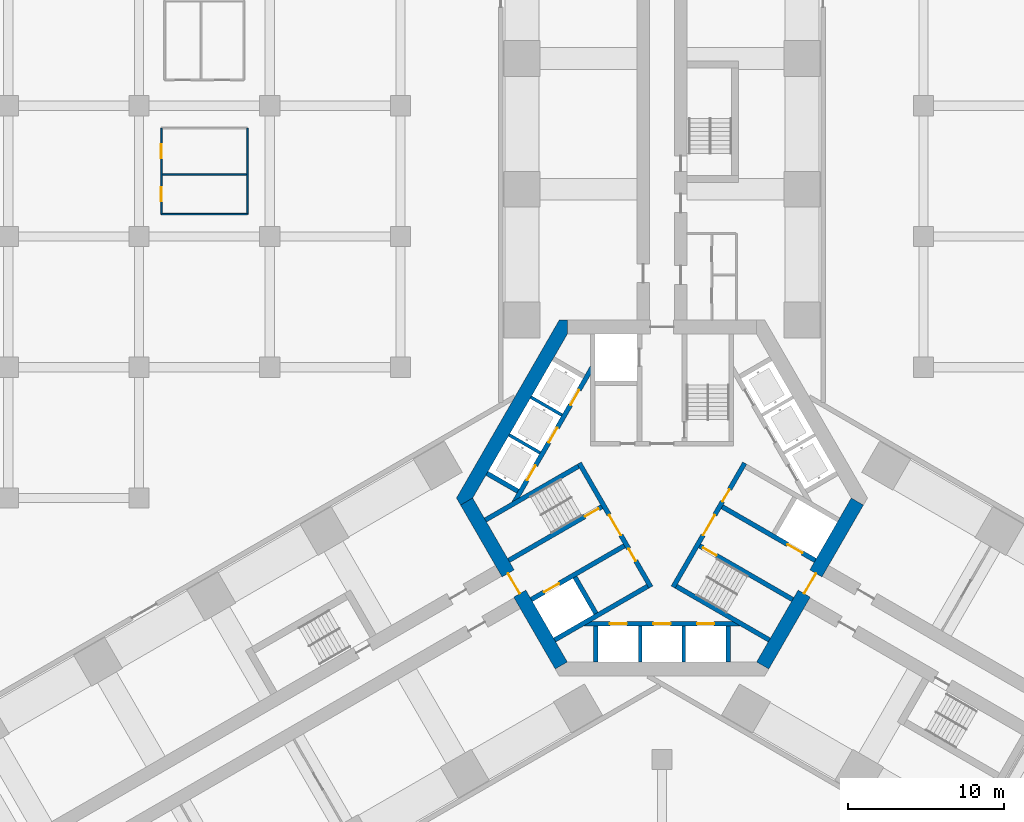
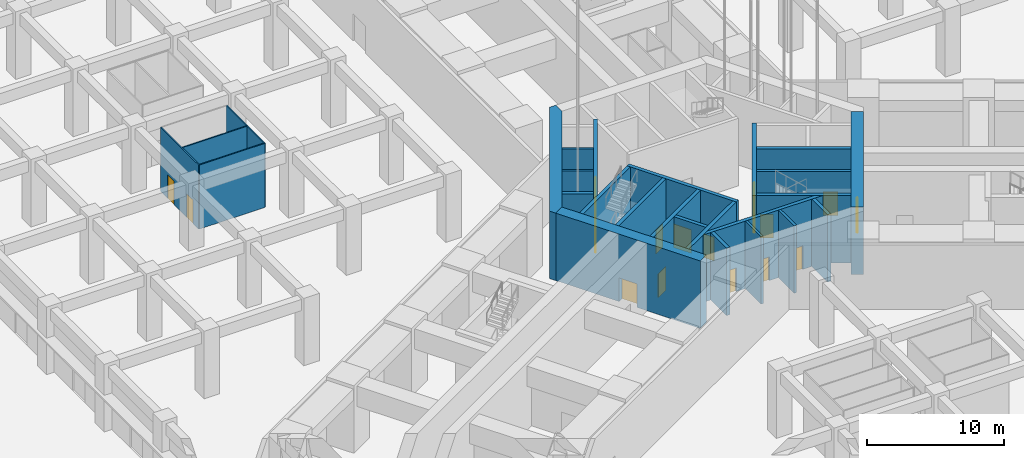
# One storey, part 9 of 33: 26 walls, 18 doors, 18 openings.
"""IFC4 building model written with IfcOpenShell, lengths in metres."""

from ifc_helpers import new_model, si_unit, direction, frame, frame_2d, origin, place, context, subcontext, project, spatial, polyline, rectangle, outline, extrude, material, layer, layer_set, type_object, element, fill, save


model = new_model("IFC4")

# Units and contexts
model_context = context("Model", 3, precision=1e-05, world=origin(), true_north=direction((0.0, 1.0)))
body_context = subcontext(model_context, "Body", "Model", "MODEL_VIEW")
ifc_project = project(units=[si_unit("LENGTHUNIT", "METRE"), si_unit("AREAUNIT", "SQUARE_METRE"), si_unit("VOLUMEUNIT", "CUBIC_METRE"), si_unit("PLANEANGLEUNIT", "RADIAN"), si_unit("MASSUNIT", "GRAM", prefix="KILO")], contexts=[model_context])

# Site, building, storey
site_placement = place(None, origin())
site = spatial("IfcSite", under=ifc_project, at=site_placement, CompositionType="ELEMENT")
building_placement = place(site_placement, origin())
building = spatial("IfcBuilding", under=site, at=building_placement, Name="Impinga Residences", CompositionType="ELEMENT")
storey_placement = place(building_placement, origin())
storey = spatial("IfcBuildingStorey", under=building, at=storey_placement, Name="L00", CompositionType="ELEMENT", Elevation=0.0)

# Walls
ifc_material_1 = material(Name="Gypsum board on steel studs", Category="steel")
ifc_layer_1 = layer(ifc_material_1, 0.10009765625)
ifc_layer_set_1 = layer_set([ifc_layer_1], Name="Gypsum board on steel studs")
wall_type_1 = type_object("IfcWallType", Name="IP1 partition 100", PredefinedType="PARTITIONING", material=ifc_layer_set_1)
for number, where, z_axis, x_axis, name in (
    (1, (-32.159912109375, 18.239990234375, 0.0), (0.0, 0.0, 1.0), (1.0, 0.0, 0.0), "Partition L00:REG:NW:BLKS"),
    (2, (-26.639892578125, 18.239990234375, 0.0), (0.0, 0.0, 1.0), (0.0, 1.0, 0.0), "Partition L00:REG:NW:BLKE"),
):
    element("IfcWall", number, at=place(storey_placement, frame(where, z_axis=z_axis, x_axis=x_axis)), inside=storey, type_object=wall_type_1, Name=name, PredefinedType="PARTITIONING", context=body_context, shape_type="SweptSolid", body=[
        extrude(rectangle(XDim=5.52001953125, YDim=0.10009765625, at=frame_2d((2.760009765625, 0.0))), origin(), (0.0, 0.0, 1.0), 5.699951171875),
    ])

# Wall, openings, doors
wall_1_placement = place(storey_placement, frame((-32.159912109375, 23.760009765625, 0.0), z_axis=(0.0, 0.0, 1.0), x_axis=(0.0, -1.0, 0.0)))
wall_1 = element("IfcWall", 3, at=wall_1_placement, inside=storey, type_object=wall_type_1, Name="Partition L00:REG:NW:BLKW", PredefinedType="PARTITIONING", context=body_context, shape_type="SweptSolid", body=[
    extrude(rectangle(XDim=5.52001953125, YDim=0.10009765625, at=frame_2d((2.760009765625, 0.0))), origin(), (0.0, 0.0, 1.0), 5.699951171875),
])
opening_1_placement = place(wall_1_placement, frame((3.803955078125, 0.0, 0.0)))
opening_1 = element("IfcOpeningElement", 4, at=opening_1_placement, cuts=wall_1, Name="Opening D2", PredefinedType="OPENING", context=body_context, shape_type="SweptSolid", body=[
    extrude(rectangle(XDim=0.89990234375, YDim=2.10009765625, at=frame_2d((0.449951171875, 1.050048828125))), frame((0.0, 0.06005859375, 0.0), z_axis=(0.0, -1.0, 0.0), x_axis=(1.0, 0.0, 0.0)), (0.0, 0.0, 1.0), 0.1201171875),
])
opening_2_placement = place(wall_1_placement, frame((1.0439453125, 0.0, 0.0)))
opening_2 = element("IfcOpeningElement", 5, at=opening_2_placement, cuts=wall_1, Name="Opening D2", PredefinedType="OPENING", context=body_context, shape_type="SweptSolid", body=[
    extrude(rectangle(XDim=0.89990234375, YDim=2.10009765625, at=frame_2d((0.449951171875, 1.050048828125))), frame((0.0, 0.06005859375, 0.0), z_axis=(0.0, -1.0, 0.0), x_axis=(1.0, 0.0, 0.0)), (0.0, 0.0, 1.0), 0.1201171875),
])
ifc_material_2 = material(Name="Timber door set", Category="wood")
door_type_1 = type_object("IfcDoorType", Name="D2 internal door 900x2100", OperationType="SINGLE_SWING_LEFT", PredefinedType="DOOR", material=ifc_material_2)
door_1_placement = place(opening_1_placement, origin())
door_1 = element("IfcDoor", 6, at=door_1_placement, inside=storey, type_object=door_type_1, Name="Retail store room door", OperationType="SINGLE_SWING_RIGHT", OverallHeight=2.10009765625, OverallWidth=0.89990234375, PredefinedType="DOOR", context=body_context, shape_type="SweptSolid", body=[
    extrude(rectangle(XDim=0.89990234375, YDim=2.10009765625, at=frame_2d((0.449951171875, 1.050048828125))), frame((0.0, 0.02490234375, 0.0), z_axis=(0.0, -1.0, 0.0), x_axis=(1.0, 0.0, 0.0)), (0.0, 0.0, 1.0), 0.050048828125),
])
fill(opening_1, door_1)
door_2_placement = place(opening_2_placement, origin())
door_2 = element("IfcDoor", 7, at=door_2_placement, inside=storey, type_object=door_type_1, Name="Retail staff room door", OperationType="SINGLE_SWING_LEFT", OverallHeight=2.10009765625, OverallWidth=0.89990234375, PredefinedType="DOOR", context=body_context, shape_type="SweptSolid", body=[
    extrude(rectangle(XDim=0.89990234375, YDim=2.10009765625, at=frame_2d((0.449951171875, 1.050048828125))), frame((0.0, 0.02490234375, 0.0), z_axis=(0.0, -1.0, 0.0), x_axis=(1.0, 0.0, 0.0)), (0.0, 0.0, 1.0), 0.050048828125),
])
fill(opening_2, door_2)

# Wall
wall_2_placement = place(storey_placement, frame((-32.159912109375, 20.772216796875, 0.0), z_axis=(0.0, 0.0, 1.0), x_axis=(1.0, 0.0, 0.0)))
element("IfcWall", 8, at=wall_2_placement, inside=storey, type_object=wall_type_1, Name="Partition L00:REG:NW:BLKP1", PredefinedType="PARTITIONING", context=body_context, shape_type="SweptSolid", body=[
    extrude(rectangle(XDim=5.52001953125, YDim=0.10009765625, at=frame_2d((2.760009765625, 0.0))), origin(), (0.0, 0.0, 1.0), 5.699951171875),
])

# Wall, opening, door
ifc_material_3 = material(Name="Concrete C70/85", Category="concrete")
ifc_layer_2 = layer(ifc_material_3, 0.89990234375)
ifc_layer_set_2 = layer_set([ifc_layer_2], Name="Concrete C70/85")
wall_type_2 = type_object("IfcWallType", Name="SW1 core wall 900", PredefinedType="SHEAR", material=ifc_layer_set_2)
wall_3_placement = place(storey_placement, frame((-6.47021484375, -10.756591796875, 0.0), z_axis=(0.0, 0.0, 1.0), x_axis=(-0.499997612506, 0.8660267822, 0.0)))
wall_3 = element("IfcWall", 9, at=wall_3_placement, inside=storey, type_object=wall_type_2, Name="Core wall SW1 W:FACE L00", PredefinedType="SHEAR", context=body_context, shape_type="SweptSolid", body=[
    extrude(rectangle(XDim=12.16064453125, YDim=0.89990234375, at=frame_2d((6.080322265625, 0.0))), origin(), (0.0, 0.0, 1.0), 6.0),
])
opening_3_placement = place(wall_3_placement, frame((5.330322265625, 0.0, 0.0)))
opening_3 = element("IfcOpeningElement", 10, at=opening_3_placement, cuts=wall_3, Name="Opening D4", PredefinedType="OPENING", context=body_context, shape_type="SweptSolid", body=[
    extrude(rectangle(XDim=1.5, YDim=2.10009765625, at=frame_2d((0.75, 1.050048828125))), frame((0.0, 0.4599609375, 0.0), z_axis=(0.0, -1.0, 0.0), x_axis=(1.0, 0.0, 0.0)), (0.0, 0.0, 1.0), 0.919921875),
])
door_type_2 = type_object("IfcDoorType", Name="D4 lobby door pair 1500x2100", OperationType="DOUBLE_DOOR_DOUBLE_SWING", PredefinedType="DOOR", material=ifc_material_2)
door_3_placement = place(opening_3_placement, origin())
door_3 = element("IfcDoor", 11, at=door_3_placement, inside=storey, type_object=door_type_2, Name="Lobby door W", OperationType="DOUBLE_DOOR_DOUBLE_SWING", OverallHeight=2.10009765625, OverallWidth=1.5, PredefinedType="DOOR", context=body_context, shape_type="SweptSolid", body=[
    extrude(rectangle(XDim=1.5, YDim=2.10009765625, at=frame_2d((0.75, 1.050048828125))), frame((0.0, 0.02490234375, 0.0), z_axis=(0.0, -1.0, 0.0), x_axis=(1.0, 0.0, 0.0)), (0.0, 0.0, 1.0), 0.050048828125),
])
fill(opening_3, door_3)

wall_4_placement = place(storey_placement, frame((12.550537109375, -0.22509765625, 0.0), z_axis=(0.0, 0.0, 1.0), x_axis=(-0.499997612506, -0.8660267822, 0.0)))
wall_4 = element("IfcWall", 12, at=wall_4_placement, inside=storey, type_object=wall_type_2, Name="Core wall SW1 E:FACE L00", PredefinedType="SHEAR", context=body_context, shape_type="SweptSolid", body=[
    extrude(rectangle(XDim=12.16064453125, YDim=0.89990234375, at=frame_2d((6.080322265625, 0.0))), origin(), (0.0, 0.0, 1.0), 6.0),
])
opening_4_placement = place(wall_4_placement, frame((5.330322265625, 0.0, 0.0)))
opening_4 = element("IfcOpeningElement", 13, at=opening_4_placement, cuts=wall_4, Name="Opening D4", PredefinedType="OPENING", context=body_context, shape_type="SweptSolid", body=[
    extrude(rectangle(XDim=1.5, YDim=2.10009765625, at=frame_2d((0.75, 1.050048828125))), frame((0.0, 0.4599609375, 0.0), z_axis=(0.0, -1.0, 0.0), x_axis=(1.0, 0.0, 0.0)), (0.0, 0.0, 1.0), 0.919921875),
])
door_4_placement = place(opening_4_placement, origin())
door_4 = element("IfcDoor", 14, at=door_4_placement, inside=storey, type_object=door_type_2, Name="Lobby door E", OperationType="DOUBLE_DOOR_DOUBLE_SWING", OverallHeight=2.10009765625, OverallWidth=1.5, PredefinedType="DOOR", context=body_context, shape_type="SweptSolid", body=[
    extrude(rectangle(XDim=1.5, YDim=2.10009765625, at=frame_2d((0.75, 1.050048828125))), frame((0.0, 0.02490234375, 0.0), z_axis=(0.0, -1.0, 0.0), x_axis=(1.0, 0.0, 0.0)), (0.0, 0.0, 1.0), 0.050048828125),
])
fill(opening_4, door_4)

# Wall
wall_5_placement = place(storey_placement, origin())
element("IfcWall", 15, at=wall_5_placement, inside=storey, type_object=wall_type_2, Name="Core wall SW1 E:EXPOSED L00", PredefinedType="SHEAR", context=body_context, shape_type="SweptSolid", body=[
    extrude(outline(polyline([(-6.60009765625, 11.431640625), (-13.199951171875, 0.0), (-12.940185546875, -0.449951171875), (-12.160888671875, 0.0), (-6.080322265625, 10.531494140625), (-6.080322265625, 11.431640625), (-6.60009765625, 11.431640625)])), origin(), (0.0, 0.0, 1.0), 6.0),
])

# Wall, openings, doors
ifc_layer_3 = layer(ifc_material_3, 0.300048828125)
ifc_layer_set_3 = layer_set([ifc_layer_3], Name="Concrete C70/85")
wall_type_3 = type_object("IfcWallType", Name="SW5 core inner wall, stairs, shafts and lobbies 300", PredefinedType="SHEAR", material=ifc_layer_set_3)
wall_6_placement = place(storey_placement, frame((-0.7138671875, -5.7236328125, 0.0), z_axis=(0.0, 0.0, 1.0), x_axis=(-0.499995050369, 0.866028261437, 0.0)))
wall_6 = element("IfcWall", 16, at=wall_6_placement, inside=storey, type_object=wall_type_3, Name="Core wall SW5 W:ZONE L00", PredefinedType="SHEAR", context=body_context, shape_type="SweptSolid", body=[
    extrude(rectangle(XDim=9.19970703125, YDim=0.300048828125, at=frame_2d((4.599853515625, 0.0))), origin(), (0.0, 0.0, 1.0), 6.0),
])
opening_5_placement = place(wall_6_placement, frame((3.85009765625, 0.0, 0.0)))
opening_5 = element("IfcOpeningElement", 17, at=opening_5_placement, cuts=wall_6, Name="Opening D4", PredefinedType="OPENING", context=body_context, shape_type="SweptSolid", body=[
    extrude(rectangle(XDim=1.5, YDim=2.10009765625, at=frame_2d((0.75, 1.050048828125))), frame((0.0, 0.159912109375, 0.0), z_axis=(0.0, -1.0, 0.0), x_axis=(1.0, 0.0, 0.0)), (0.0, 0.0, 1.0), 0.320068359375),
])
opening_6_placement = place(wall_6_placement, frame((1.949951171875, 0.0, 0.0)))
opening_6 = element("IfcOpeningElement", 18, at=opening_6_placement, cuts=wall_6, Name="Opening D6", PredefinedType="OPENING", context=body_context, shape_type="SweptSolid", body=[
    extrude(rectangle(XDim=0.89990234375, YDim=2.10009765625, at=frame_2d((0.449951171875, 1.050048828125))), frame((0.0, 0.159912109375, 0.0), z_axis=(0.0, -1.0, 0.0), x_axis=(1.0, 0.0, 0.0)), (0.0, 0.0, 1.0), 0.320068359375),
])
door_5_placement = place(opening_5_placement, origin())
door_5 = element("IfcDoor", 19, at=door_5_placement, inside=storey, type_object=door_type_2, Name="Firefighting lobby door W", OperationType="DOUBLE_DOOR_DOUBLE_SWING", OverallHeight=2.10009765625, OverallWidth=1.5, PredefinedType="DOOR", context=body_context, shape_type="SweptSolid", body=[
    extrude(rectangle(XDim=1.5, YDim=2.10009765625, at=frame_2d((0.75, 1.050048828125))), frame((0.0, 0.02490234375, 0.0), z_axis=(0.0, -1.0, 0.0), x_axis=(1.0, 0.0, 0.0)), (0.0, 0.0, 1.0), 0.050048828125),
])
fill(opening_5, door_5)
door_type_3 = type_object("IfcDoorType", Name="D6 riser and store door 900x2100", OperationType="SINGLE_SWING_LEFT", PredefinedType="DOOR", material=ifc_material_2)
door_6_placement = place(opening_6_placement, origin())
door_6 = element("IfcDoor", 20, at=door_6_placement, inside=storey, type_object=door_type_3, Name="Riser door W", OperationType="SINGLE_SWING_LEFT", OverallHeight=2.10009765625, OverallWidth=0.89990234375, PredefinedType="DOOR", context=body_context, shape_type="SweptSolid", body=[
    extrude(rectangle(XDim=0.89990234375, YDim=2.10009765625, at=frame_2d((0.449951171875, 1.050048828125))), frame((0.0, 0.02490234375, 0.0), z_axis=(0.0, -1.0, 0.0), x_axis=(1.0, 0.0, 0.0)), (0.0, 0.0, 1.0), 0.050048828125),
])
fill(opening_6, door_6)

# Wall, opening, door
wall_7_placement = place(storey_placement, frame((-3.86865234375, -0.559326171875, 0.0), z_axis=(0.0, 0.0, 1.0), x_axis=(-0.86602711848, -0.499997030048, 0.0)))
wall_7 = element("IfcWall", 21, at=wall_7_placement, inside=storey, type_object=wall_type_3, Name="Core wall SW5 W:ST-IN L00", PredefinedType="SHEAR", context=body_context, shape_type="SweptSolid", body=[
    extrude(rectangle(XDim=6.9013671875, YDim=0.300048828125, at=frame_2d((3.45068359375, 0.0))), origin(), (0.0, 0.0, 1.0), 6.0),
])
opening_7_placement = place(wall_7_placement, frame((0.25, 0.0, 0.0)))
opening_7 = element("IfcOpeningElement", 22, at=opening_7_placement, cuts=wall_7, Name="Opening D5", PredefinedType="OPENING", context=body_context, shape_type="SweptSolid", body=[
    extrude(rectangle(XDim=1.0, YDim=2.10009765625, at=frame_2d((0.5, 1.050048828125))), frame((0.0, 0.159912109375, 0.0), z_axis=(0.0, -1.0, 0.0), x_axis=(1.0, 0.0, 0.0)), (0.0, 0.0, 1.0), 0.320068359375),
])
door_type_4 = type_object("IfcDoorType", Name="D5 stair door 1000x2100", OperationType="SINGLE_SWING_LEFT", PredefinedType="DOOR", material=ifc_material_2)
door_7_placement = place(opening_7_placement, origin())
door_7 = element("IfcDoor", 23, at=door_7_placement, inside=storey, type_object=door_type_4, Name="Stair door W", OperationType="SINGLE_SWING_LEFT", OverallHeight=2.10009765625, OverallWidth=1.0, PredefinedType="DOOR", context=body_context, shape_type="SweptSolid", body=[
    extrude(rectangle(XDim=1.0, YDim=2.10009765625, at=frame_2d((0.5, 1.050048828125))), frame((0.0, 0.02490234375, 0.0), z_axis=(0.0, -1.0, 0.0), x_axis=(1.0, 0.0, 0.0)), (0.0, 0.0, 1.0), 0.050048828125),
])
fill(opening_7, door_7)

# Wall
wall_8_placement = place(storey_placement, frame((-5.36865234375, 2.038818359375, 0.0), z_axis=(0.0, 0.0, 1.0), x_axis=(-0.86602711848, -0.499997030048, 0.0)))
element("IfcWall", 24, at=wall_8_placement, inside=storey, type_object=wall_type_3, Name="Core wall SW5 W:ST-OUT L00", PredefinedType="SHEAR", context=body_context, shape_type="SweptSolid", body=[
    extrude(rectangle(XDim=6.9013671875, YDim=0.300048828125, at=frame_2d((3.45068359375, 0.0))), origin(), (0.0, 0.0, 1.0), 6.0),
])

# Wall, opening, door
wall_9_placement = place(storey_placement, frame((-2.418701171875, -3.07080078125, 0.0), z_axis=(0.0, 0.0, 1.0), x_axis=(-0.86602711848, -0.499997030048, 0.0)))
wall_9 = element("IfcWall", 25, at=wall_9_placement, inside=storey, type_object=wall_type_3, Name="Core wall SW5 W:FF-IN L00", PredefinedType="SHEAR", context=body_context, shape_type="SweptSolid", body=[
    extrude(rectangle(XDim=6.9013671875, YDim=0.300048828125, at=frame_2d((3.45068359375, 0.0))), origin(), (0.0, 0.0, 1.0), 6.0),
])
opening_8_placement = place(wall_9_placement, frame((4.85009765625, 0.0, 0.0)))
opening_8 = element("IfcOpeningElement", 26, at=opening_8_placement, cuts=wall_9, Name="Opening LD2", PredefinedType="OPENING", context=body_context, shape_type="SweptSolid", body=[
    extrude(rectangle(XDim=1.10009765625, YDim=2.10009765625, at=frame_2d((0.550048828125, 1.050048828125))), frame((0.0, 0.159912109375, 0.0), z_axis=(0.0, -1.0, 0.0), x_axis=(1.0, 0.0, 0.0)), (0.0, 0.0, 1.0), 0.320068359375),
])
ifc_material_4 = material(Name="Steel lift landing door", Category="steel")
door_type_5 = type_object("IfcDoorType", Name="LD2 firefighting lift landing door 1100x2100", OperationType="DOUBLE_DOOR_SLIDING", PredefinedType="DOOR", material=ifc_material_4)
door_8_placement = place(opening_8_placement, origin())
door_8 = element("IfcDoor", 27, at=door_8_placement, inside=storey, type_object=door_type_5, Name="Firefighting lift landing door F2", OperationType="DOUBLE_DOOR_SLIDING", OverallHeight=2.10009765625, OverallWidth=1.10009765625, PredefinedType="DOOR", context=body_context, shape_type="SweptSolid", body=[
    extrude(rectangle(XDim=1.10009765625, YDim=2.10009765625, at=frame_2d((0.550048828125, 1.050048828125))), frame((0.0, 0.02490234375, 0.0), z_axis=(0.0, -1.0, 0.0), x_axis=(1.0, 0.0, 0.0)), (0.0, 0.0, 1.0), 0.050048828125),
])
fill(opening_8, door_8)

# Walls
wall_10_placement = place(storey_placement, frame((-0.918701171875, -5.668701171875, 0.0), z_axis=(0.0, 0.0, 1.0), x_axis=(-0.866011800373, -0.500023561059, 0.0)))
element("IfcWall", 28, at=wall_10_placement, inside=storey, type_object=wall_type_3, Name="Core wall SW5 W:FF-OUT L00", PredefinedType="SHEAR", context=body_context, shape_type="SweptSolid", body=[
    extrude(rectangle(XDim=6.901611328125, YDim=0.300048828125, at=frame_2d((3.45068359375, 0.0))), origin(), (0.0, 0.0, 1.0), 6.0),
])
wall_11_placement = place(storey_placement, frame((-4.2412109375, -7.413818359375, 0.0), z_axis=(0.0, 0.0, 1.0), x_axis=(-0.500048589285, 0.86599734893, 0.0)))
element("IfcWall", 29, at=wall_11_placement, inside=storey, type_object=wall_type_3, Name="Core wall SW5 W:FF-RS L00", PredefinedType="SHEAR", context=body_context, shape_type="SweptSolid", body=[
    extrude(rectangle(XDim=2.699951171875, YDim=0.300048828125, at=frame_2d((1.35009765625, 0.0))), origin(), (0.0, 0.0, 1.0), 6.0),
])

# Wall, openings, doors
wall_12_placement = place(storey_placement, frame((5.313720703125, 2.24365234375, 0.0), z_axis=(0.0, 0.0, 1.0), x_axis=(-0.499995050369, -0.866028261437, 0.0)))
wall_12 = element("IfcWall", 30, at=wall_12_placement, inside=storey, type_object=wall_type_3, Name="Core wall SW5 E:ZONE L00", PredefinedType="SHEAR", context=body_context, shape_type="SweptSolid", body=[
    extrude(rectangle(XDim=9.19970703125, YDim=0.300048828125, at=frame_2d((4.599853515625, 0.0))), origin(), (0.0, 0.0, 1.0), 6.0),
])
opening_9_placement = place(wall_12_placement, frame((3.85009765625, 0.0, 0.0)))
opening_9 = element("IfcOpeningElement", 31, at=opening_9_placement, cuts=wall_12, Name="Opening D4", PredefinedType="OPENING", context=body_context, shape_type="SweptSolid", body=[
    extrude(rectangle(XDim=1.5, YDim=2.10009765625, at=frame_2d((0.75, 1.050048828125))), frame((0.0, 0.159912109375, 0.0), z_axis=(0.0, -1.0, 0.0), x_axis=(1.0, 0.0, 0.0)), (0.0, 0.0, 1.0), 0.320068359375),
])
opening_10_placement = place(wall_12_placement, frame((1.949951171875, 0.0, 0.0)))
opening_10 = element("IfcOpeningElement", 32, at=opening_10_placement, cuts=wall_12, Name="Opening D6", PredefinedType="OPENING", context=body_context, shape_type="SweptSolid", body=[
    extrude(rectangle(XDim=0.89990234375, YDim=2.10009765625, at=frame_2d((0.449951171875, 1.050048828125))), frame((0.0, 0.159912109375, 0.0), z_axis=(0.0, -1.0, 0.0), x_axis=(1.0, 0.0, 0.0)), (0.0, 0.0, 1.0), 0.320068359375),
])
door_9_placement = place(opening_9_placement, origin())
door_9 = element("IfcDoor", 33, at=door_9_placement, inside=storey, type_object=door_type_2, Name="Firefighting lobby door E", OperationType="DOUBLE_DOOR_DOUBLE_SWING", OverallHeight=2.10009765625, OverallWidth=1.5, PredefinedType="DOOR", context=body_context, shape_type="SweptSolid", body=[
    extrude(rectangle(XDim=1.5, YDim=2.10009765625, at=frame_2d((0.75, 1.050048828125))), frame((0.0, 0.02490234375, 0.0), z_axis=(0.0, -1.0, 0.0), x_axis=(1.0, 0.0, 0.0)), (0.0, 0.0, 1.0), 0.050048828125),
])
fill(opening_9, door_9)
door_10_placement = place(opening_10_placement, origin())
door_10 = element("IfcDoor", 34, at=door_10_placement, inside=storey, type_object=door_type_3, Name="Riser door E", OperationType="SINGLE_SWING_LEFT", OverallHeight=2.10009765625, OverallWidth=0.89990234375, PredefinedType="DOOR", context=body_context, shape_type="SweptSolid", body=[
    extrude(rectangle(XDim=0.89990234375, YDim=2.10009765625, at=frame_2d((0.449951171875, 1.050048828125))), frame((0.0, 0.02490234375, 0.0), z_axis=(0.0, -1.0, 0.0), x_axis=(1.0, 0.0, 0.0)), (0.0, 0.0, 1.0), 0.050048828125),
])
fill(opening_10, door_10)

# Wall, opening, door
wall_13_placement = place(storey_placement, frame((2.418701171875, -3.07080078125, 0.0), z_axis=(0.0, 0.0, 1.0), x_axis=(0.86602711848, -0.499997030048, 0.0)))
wall_13 = element("IfcWall", 35, at=wall_13_placement, inside=storey, type_object=wall_type_3, Name="Core wall SW5 E:ST-IN L00", PredefinedType="SHEAR", context=body_context, shape_type="SweptSolid", body=[
    extrude(rectangle(XDim=6.9013671875, YDim=0.300048828125, at=frame_2d((3.45068359375, 0.0))), origin(), (0.0, 0.0, 1.0), 6.0),
])
opening_11_placement = place(wall_13_placement, frame((0.25, 0.0, 0.0)))
opening_11 = element("IfcOpeningElement", 36, at=opening_11_placement, cuts=wall_13, Name="Opening D5", PredefinedType="OPENING", context=body_context, shape_type="SweptSolid", body=[
    extrude(rectangle(XDim=1.0, YDim=2.10009765625, at=frame_2d((0.5, 1.050048828125))), frame((0.0, 0.159912109375, 0.0), z_axis=(0.0, -1.0, 0.0), x_axis=(1.0, 0.0, 0.0)), (0.0, 0.0, 1.0), 0.320068359375),
])
door_11_placement = place(opening_11_placement, origin())
door_11 = element("IfcDoor", 37, at=door_11_placement, inside=storey, type_object=door_type_4, Name="Stair door E", OperationType="SINGLE_SWING_LEFT", OverallHeight=2.10009765625, OverallWidth=1.0, PredefinedType="DOOR", context=body_context, shape_type="SweptSolid", body=[
    extrude(rectangle(XDim=1.0, YDim=2.10009765625, at=frame_2d((0.5, 1.050048828125))), frame((0.0, 0.02490234375, 0.0), z_axis=(0.0, -1.0, 0.0), x_axis=(1.0, 0.0, 0.0)), (0.0, 0.0, 1.0), 0.050048828125),
])
fill(opening_11, door_11)

# Wall
wall_14_placement = place(storey_placement, frame((0.918701171875, -5.668701171875, 0.0), z_axis=(0.0, 0.0, 1.0), x_axis=(0.866011800373, -0.500023561059, 0.0)))
element("IfcWall", 38, at=wall_14_placement, inside=storey, type_object=wall_type_3, Name="Core wall SW5 E:ST-OUT L00", PredefinedType="SHEAR", context=body_context, shape_type="SweptSolid", body=[
    extrude(rectangle(XDim=6.901611328125, YDim=0.300048828125, at=frame_2d((3.45068359375, 0.0))), origin(), (0.0, 0.0, 1.0), 6.0),
])

# Wall, opening, door
wall_15_placement = place(storey_placement, frame((3.86865234375, -0.559326171875, 0.0), z_axis=(0.0, 0.0, 1.0), x_axis=(0.86602711848, -0.499997030048, 0.0)))
wall_15 = element("IfcWall", 39, at=wall_15_placement, inside=storey, type_object=wall_type_3, Name="Core wall SW5 E:FF-IN L00", PredefinedType="SHEAR", context=body_context, shape_type="SweptSolid", body=[
    extrude(rectangle(XDim=6.9013671875, YDim=0.300048828125, at=frame_2d((3.45068359375, 0.0))), origin(), (0.0, 0.0, 1.0), 6.0),
])
opening_12_placement = place(wall_15_placement, frame((4.85009765625, 0.0, 0.0)))
opening_12 = element("IfcOpeningElement", 40, at=opening_12_placement, cuts=wall_15, Name="Opening LD2", PredefinedType="OPENING", context=body_context, shape_type="SweptSolid", body=[
    extrude(rectangle(XDim=1.10009765625, YDim=2.10009765625, at=frame_2d((0.550048828125, 1.050048828125))), frame((0.0, 0.159912109375, 0.0), z_axis=(0.0, -1.0, 0.0), x_axis=(1.0, 0.0, 0.0)), (0.0, 0.0, 1.0), 0.320068359375),
])
door_12_placement = place(opening_12_placement, origin())
door_12 = element("IfcDoor", 41, at=door_12_placement, inside=storey, type_object=door_type_5, Name="Firefighting lift landing door F3", OperationType="DOUBLE_DOOR_SLIDING", OverallHeight=2.10009765625, OverallWidth=1.10009765625, PredefinedType="DOOR", context=body_context, shape_type="SweptSolid", body=[
    extrude(rectangle(XDim=1.10009765625, YDim=2.10009765625, at=frame_2d((0.550048828125, 1.050048828125))), frame((0.0, 0.02490234375, 0.0), z_axis=(0.0, -1.0, 0.0), x_axis=(1.0, 0.0, 0.0)), (0.0, 0.0, 1.0), 0.050048828125),
])
fill(opening_12, door_12)

# Wall, openings, doors
wall_16_placement = place(storey_placement, frame((5.09765625, -8.08154296875, 0.0), z_axis=(0.0, 0.0, 1.0), x_axis=(-1.0, 0.0, 0.0)))
wall_16 = element("IfcWall", 42, at=wall_16_placement, inside=storey, type_object=wall_type_3, Name="Core wall SW5 N:BANK-FRONT L00", PredefinedType="SHEAR", context=body_context, shape_type="SweptSolid", body=[
    extrude(rectangle(XDim=10.1953125, YDim=0.300048828125, at=frame_2d((5.09765625, 0.0))), origin(), (0.0, 0.0, 1.0), 6.0),
])
opening_13_placement = place(wall_16_placement, frame((1.74755859375, 0.0, 0.0)))
opening_13 = element("IfcOpeningElement", 43, at=opening_13_placement, cuts=wall_16, Name="Opening LD1", PredefinedType="OPENING", context=body_context, shape_type="SweptSolid", body=[
    extrude(rectangle(XDim=1.10009765625, YDim=2.10009765625, at=frame_2d((0.550048828125, 1.050048828125))), frame((0.0, 0.159912109375, 0.0), z_axis=(0.0, -1.0, 0.0), x_axis=(1.0, 0.0, 0.0)), (0.0, 0.0, 1.0), 0.320068359375),
])
opening_14_placement = place(wall_16_placement, frame((4.547607421875, 0.0, 0.0)))
opening_14 = element("IfcOpeningElement", 44, at=opening_14_placement, cuts=wall_16, Name="Opening LD1", PredefinedType="OPENING", context=body_context, shape_type="SweptSolid", body=[
    extrude(rectangle(XDim=1.10009765625, YDim=2.10009765625, at=frame_2d((0.550048828125, 1.050048828125))), frame((0.0, 0.159912109375, 0.0), z_axis=(0.0, -1.0, 0.0), x_axis=(1.0, 0.0, 0.0)), (0.0, 0.0, 1.0), 0.320068359375),
])
opening_15_placement = place(wall_16_placement, frame((7.34765625, 0.0, 0.0)))
opening_15 = element("IfcOpeningElement", 45, at=opening_15_placement, cuts=wall_16, Name="Opening LD1", PredefinedType="OPENING", context=body_context, shape_type="SweptSolid", body=[
    extrude(rectangle(XDim=1.10009765625, YDim=2.10009765625, at=frame_2d((0.550048828125, 1.050048828125))), frame((0.0, 0.159912109375, 0.0), z_axis=(0.0, -1.0, 0.0), x_axis=(1.0, 0.0, 0.0)), (0.0, 0.0, 1.0), 0.320068359375),
])
door_type_6 = type_object("IfcDoorType", Name="LD1 passenger lift landing door 1100x2100", OperationType="DOUBLE_DOOR_SLIDING", PredefinedType="DOOR", material=ifc_material_4)
door_13_placement = place(opening_13_placement, origin())
door_13 = element("IfcDoor", 46, at=door_13_placement, inside=storey, type_object=door_type_6, Name="Lift landing door P1", OperationType="DOUBLE_DOOR_SLIDING", OverallHeight=2.10009765625, OverallWidth=1.10009765625, PredefinedType="DOOR", context=body_context, shape_type="SweptSolid", body=[
    extrude(rectangle(XDim=1.10009765625, YDim=2.10009765625, at=frame_2d((0.550048828125, 1.050048828125))), frame((0.0, 0.02490234375, 0.0), z_axis=(0.0, -1.0, 0.0), x_axis=(1.0, 0.0, 0.0)), (0.0, 0.0, 1.0), 0.050048828125),
])
fill(opening_13, door_13)
door_14_placement = place(opening_14_placement, origin())
door_14 = element("IfcDoor", 47, at=door_14_placement, inside=storey, type_object=door_type_6, Name="Lift landing door P2", OperationType="DOUBLE_DOOR_SLIDING", OverallHeight=2.10009765625, OverallWidth=1.10009765625, PredefinedType="DOOR", context=body_context, shape_type="SweptSolid", body=[
    extrude(rectangle(XDim=1.10009765625, YDim=2.10009765625, at=frame_2d((0.550048828125, 1.050048828125))), frame((0.0, 0.02490234375, 0.0), z_axis=(0.0, -1.0, 0.0), x_axis=(1.0, 0.0, 0.0)), (0.0, 0.0, 1.0), 0.050048828125),
])
fill(opening_14, door_14)
door_15_placement = place(opening_15_placement, origin())
door_15 = element("IfcDoor", 48, at=door_15_placement, inside=storey, type_object=door_type_6, Name="Lift landing door P3", OperationType="DOUBLE_DOOR_SLIDING", OverallHeight=2.10009765625, OverallWidth=1.10009765625, PredefinedType="DOOR", context=body_context, shape_type="SweptSolid", body=[
    extrude(rectangle(XDim=1.10009765625, YDim=2.10009765625, at=frame_2d((0.550048828125, 1.050048828125))), frame((0.0, 0.02490234375, 0.0), z_axis=(0.0, -1.0, 0.0), x_axis=(1.0, 0.0, 0.0)), (0.0, 0.0, 1.0), 0.050048828125),
])
fill(opening_15, door_15)

# Walls
for number, where, z_axis, x_axis, name in (
    (49, (4.25, -8.2314453125, 0.0), (0.0, 0.0, 1.0), (0.0, -1.0, 0.0), "Core wall SW5 N:BANK-L L00"),
    (50, (-4.25, -8.2314453125, 0.0), (0.0, 0.0, 1.0), (0.0, -1.0, 0.0), "Core wall SW5 N:BANK-R L00"),
):
    element("IfcWall", number, at=place(storey_placement, frame(where, z_axis=z_axis, x_axis=x_axis)), inside=storey, type_object=wall_type_3, Name=name, PredefinedType="SHEAR", context=body_context, shape_type="SweptSolid", body=[
        extrude(rectangle(XDim=2.300048828125, YDim=0.300048828125, at=frame_2d((1.14990234375, 0.0))), origin(), (0.0, 0.0, 1.0), 6.0),
    ])

# Wall, openings, doors
wall_17_placement = place(storey_placement, frame((-9.547607421875, -0.3740234375, 0.0), z_axis=(0.0, 0.0, 1.0), x_axis=(0.500002290144, 0.866024081565, 0.0)))
wall_17 = element("IfcWall", 51, at=wall_17_placement, inside=storey, type_object=wall_type_3, Name="Core wall SW5 E:BANK-FRONT L00", PredefinedType="SHEAR", context=body_context, shape_type="SweptSolid", body=[
    extrude(rectangle(XDim=10.1953125, YDim=0.300048828125, at=frame_2d((5.09765625, 0.0))), origin(), (0.0, 0.0, 1.0), 6.0),
])
opening_16_placement = place(wall_17_placement, frame((1.74755859375, 0.0, 0.0)))
opening_16 = element("IfcOpeningElement", 52, at=opening_16_placement, cuts=wall_17, Name="Opening LD1", PredefinedType="OPENING", context=body_context, shape_type="SweptSolid", body=[
    extrude(rectangle(XDim=1.10009765625, YDim=2.10009765625, at=frame_2d((0.550048828125, 1.050048828125))), frame((0.0, 0.159912109375, 0.0), z_axis=(0.0, -1.0, 0.0), x_axis=(1.0, 0.0, 0.0)), (0.0, 0.0, 1.0), 0.320068359375),
])
opening_17_placement = place(wall_17_placement, frame((4.547607421875, 0.0, 0.0)))
opening_17 = element("IfcOpeningElement", 53, at=opening_17_placement, cuts=wall_17, Name="Opening LD1", PredefinedType="OPENING", context=body_context, shape_type="SweptSolid", body=[
    extrude(rectangle(XDim=1.10009765625, YDim=2.10009765625, at=frame_2d((0.550048828125, 1.050048828125))), frame((0.0, 0.159912109375, 0.0), z_axis=(0.0, -1.0, 0.0), x_axis=(1.0, 0.0, 0.0)), (0.0, 0.0, 1.0), 0.320068359375),
])
opening_18_placement = place(wall_17_placement, frame((7.34765625, 0.0, 0.0)))
opening_18 = element("IfcOpeningElement", 54, at=opening_18_placement, cuts=wall_17, Name="Opening LD1", PredefinedType="OPENING", context=body_context, shape_type="SweptSolid", body=[
    extrude(rectangle(XDim=1.10009765625, YDim=2.10009765625, at=frame_2d((0.550048828125, 1.050048828125))), frame((0.0, 0.159912109375, 0.0), z_axis=(0.0, -1.0, 0.0), x_axis=(1.0, 0.0, 0.0)), (0.0, 0.0, 1.0), 0.320068359375),
])
door_16_placement = place(opening_16_placement, origin())
door_16 = element("IfcDoor", 55, at=door_16_placement, inside=storey, type_object=door_type_6, Name="Lift landing door P7", OperationType="DOUBLE_DOOR_SLIDING", OverallHeight=2.10009765625, OverallWidth=1.10009765625, PredefinedType="DOOR", context=body_context, shape_type="SweptSolid", body=[
    extrude(rectangle(XDim=1.10009765625, YDim=2.10009765625, at=frame_2d((0.550048828125, 1.050048828125))), frame((0.0, 0.02490234375, 0.0), z_axis=(0.0, -1.0, 0.0), x_axis=(1.0, 0.0, 0.0)), (0.0, 0.0, 1.0), 0.050048828125),
])
fill(opening_16, door_16)
door_17_placement = place(opening_17_placement, origin())
door_17 = element("IfcDoor", 56, at=door_17_placement, inside=storey, type_object=door_type_6, Name="Lift landing door P8", OperationType="DOUBLE_DOOR_SLIDING", OverallHeight=2.10009765625, OverallWidth=1.10009765625, PredefinedType="DOOR", context=body_context, shape_type="SweptSolid", body=[
    extrude(rectangle(XDim=1.10009765625, YDim=2.10009765625, at=frame_2d((0.550048828125, 1.050048828125))), frame((0.0, 0.02490234375, 0.0), z_axis=(0.0, -1.0, 0.0), x_axis=(1.0, 0.0, 0.0)), (0.0, 0.0, 1.0), 0.050048828125),
])
fill(opening_17, door_17)
door_18_placement = place(opening_18_placement, origin())
door_18 = element("IfcDoor", 57, at=door_18_placement, inside=storey, type_object=door_type_6, Name="Lift landing door P9", OperationType="DOUBLE_DOOR_SLIDING", OverallHeight=2.10009765625, OverallWidth=1.10009765625, PredefinedType="DOOR", context=body_context, shape_type="SweptSolid", body=[
    extrude(rectangle(XDim=1.10009765625, YDim=2.10009765625, at=frame_2d((0.550048828125, 1.050048828125))), frame((0.0, 0.02490234375, 0.0), z_axis=(0.0, -1.0, 0.0), x_axis=(1.0, 0.0, 0.0)), (0.0, 0.0, 1.0), 0.050048828125),
])
fill(opening_18, door_18)

# Walls
wall_18_placement = place(storey_placement, frame((-9.253662109375, 0.43505859375, 0.0), z_axis=(0.0, 0.0, 1.0), x_axis=(-0.866007057882, 0.500031774688, 0.0)))
element("IfcWall", 58, at=wall_18_placement, inside=storey, type_object=wall_type_3, Name="Core wall SW5 E:BANK-L L00", PredefinedType="SHEAR", context=body_context, shape_type="SweptSolid", body=[
    extrude(rectangle(XDim=2.300048828125, YDim=0.300048828125, at=frame_2d((1.14990234375, 0.0))), origin(), (0.0, 0.0, 1.0), 6.0),
])
ifc_layer_4 = layer(ifc_material_3, 0.199951171875)
ifc_layer_set_4 = layer_set([ifc_layer_4], Name="Concrete C70/85")
wall_type_4 = type_object("IfcWallType", Name="SW6 lift shaft divider wall 200", PredefinedType="SHEAR", material=ifc_layer_set_4)
for number, where, z_axis, x_axis, name in (
    (59, (1.39990234375, -8.2314453125, 0.0), (0.0, 0.0, 1.0), (0.0, -1.0, 0.0), "Core wall SW6 N:BANK-D1 L00"),
    (60, (-1.39990234375, -8.2314453125, 0.0), (0.0, 0.0, 1.0), (0.0, -1.0, 0.0), "Core wall SW6 N:BANK-D2 L00"),
    (61, (-7.82861328125, 2.9033203125, 0.0), (0.0, 0.0, 1.0), (-0.866053019151, 0.499952165731, 0.0), "Core wall SW6 E:BANK-D1 L00"),
    (62, (-6.4287109375, 5.328125, 0.0), (0.0, 0.0, 1.0), (-0.866007057882, 0.500031774688, 0.0), "Core wall SW6 E:BANK-D2 L00"),
):
    element("IfcWall", number, at=place(storey_placement, frame(where, z_axis=z_axis, x_axis=x_axis)), inside=storey, type_object=wall_type_4, Name=name, PredefinedType="SHEAR", context=body_context, shape_type="SweptSolid", body=[
        extrude(rectangle(XDim=2.300048828125, YDim=0.199951171875, at=frame_2d((1.14990234375, 0.0))), origin(), (0.0, 0.0, 1.0), 6.0),
    ])

save(model, "model.ifc")
